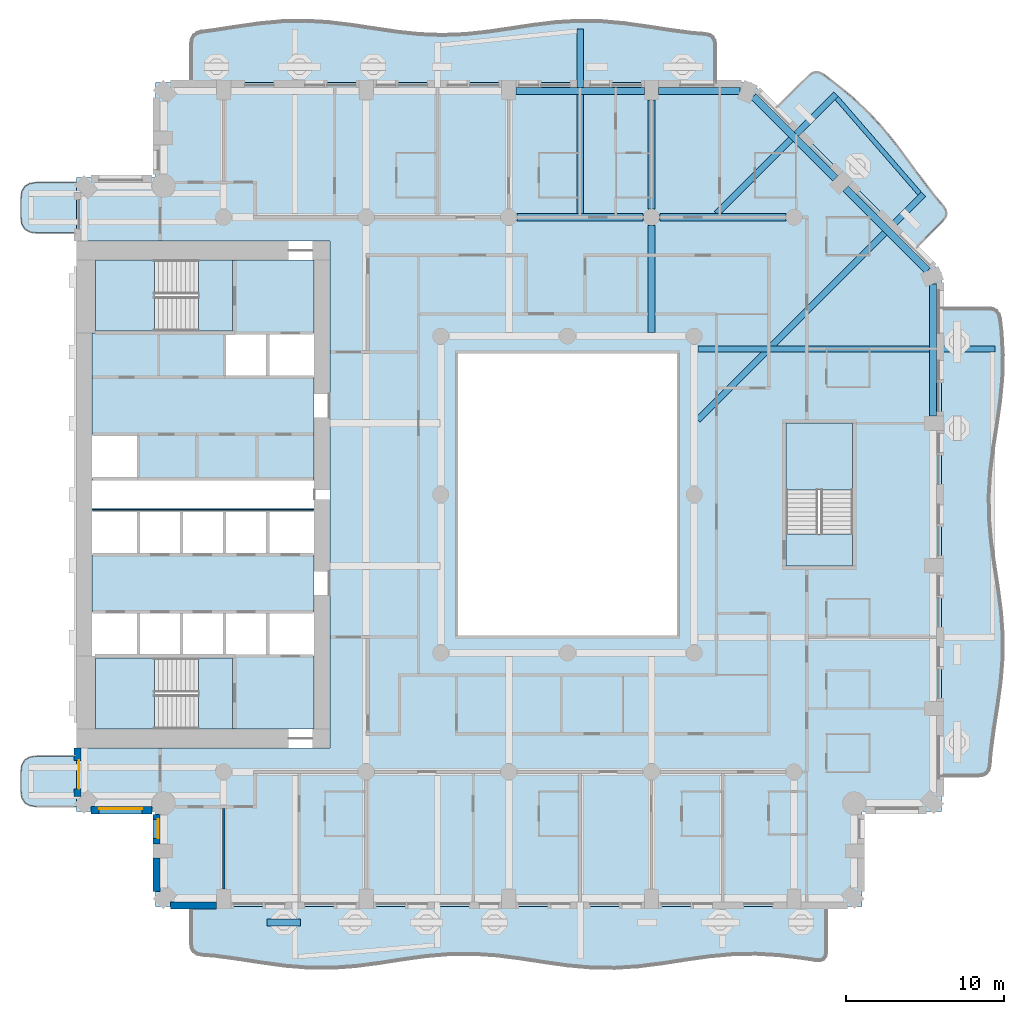
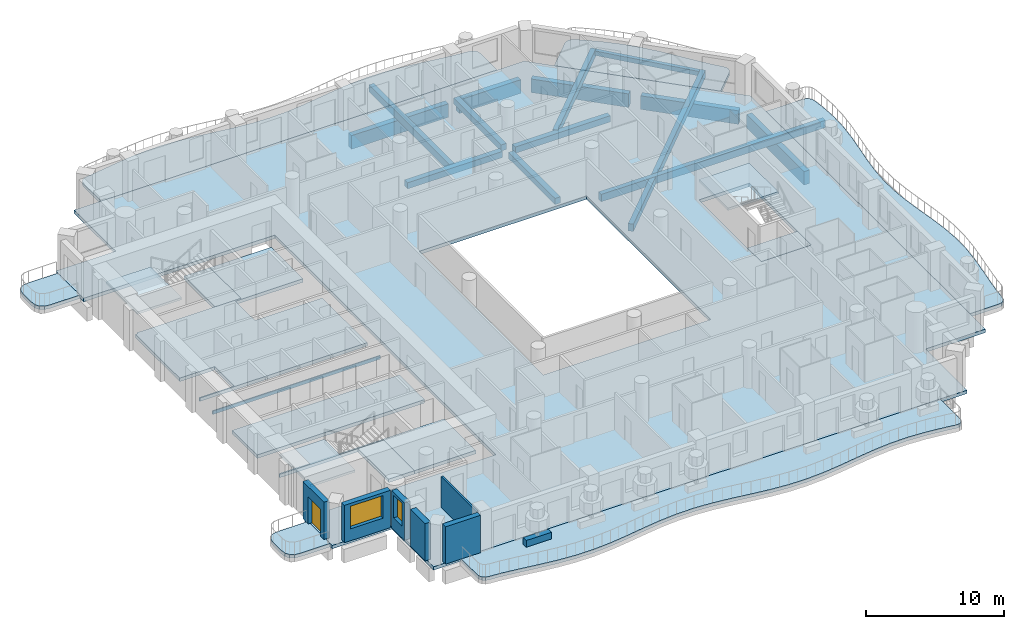
# One storey, part 2 of 20: 17 slabs, 14 beams, 7 walls, 2 windows, 1 door, 3 openings, 3 elements without a shape of their own.
"""IFC4 building model written with IfcOpenShell, lengths in metres."""

from ifc_helpers import new_model, si_unit, direction, frame, frame_2d, origin, origin_2d, place, context, subcontext, project, spatial, polyline, rectangle, outline, extrude, material, layer, layer_set, material_profile, profile_set, type_object, element, fill, aggregate, save


model = new_model("IFC4")

# Units and contexts
model_context = context("Model", 3, precision=1e-05, world=origin(), true_north=direction((0.0, 1.0)))
body_context = subcontext(model_context, "Body", "Model", "MODEL_VIEW")
ifc_project = project(units=[si_unit("LENGTHUNIT", "METRE"), si_unit("AREAUNIT", "SQUARE_METRE"), si_unit("VOLUMEUNIT", "CUBIC_METRE"), si_unit("PLANEANGLEUNIT", "RADIAN"), si_unit("MASSUNIT", "GRAM", prefix="KILO")], contexts=[model_context])

# Site, building, storey
site_placement = place(None, origin())
site = spatial("IfcSite", under=ifc_project, at=site_placement, CompositionType="ELEMENT")
building_placement = place(site_placement, origin())
building = spatial("IfcBuilding", under=site, at=building_placement, Name="Cypress Arch Tower", CompositionType="ELEMENT")
storey_placement = place(building_placement, frame((0.0, 0.0, 131.10009765625)))
storey = spatial("IfcBuildingStorey", under=building, at=storey_placement, Name="L28", CompositionType="ELEMENT", Elevation=131.10009765625)

# Beams
ifc_material_1 = material(Name="Concrete C50/60", Category="concrete")
ifc_material_profile_1 = material_profile(ifc_material_1, rectangle(XDim=0.300048828125, YDim=0.39990234375, at=origin_2d()), Name="RC 300x400")
ifc_profile_set_1 = profile_set([ifc_material_profile_1], Name="Concrete C50/60")
beam_type_1 = type_object("IfcBeamType", Name="Balcony edge beam RC 300x400 Concrete C50/60", PredefinedType="BEAM", material=ifc_profile_set_1)
beam_1_placement = place(storey_placement, frame((23.22216796875, 18.992919921875, -0.5), z_axis=(-0.655597619105, 0.755110430218, 0.0), x_axis=(-0.755110430218, -0.655597619105, 0.0)))
element("IfcBeam", 1, at=beam_1_placement, inside=storey, type_object=beam_type_1, Name="Balcony edge beam L28 A07", PredefinedType="BEAM", context=body_context, shape_type="SweptSolid", body=[
    extrude(rectangle(XDim=0.300048828125, YDim=0.39990234375, at=origin_2d()), origin(), (0.0, 0.0, 1.0), 7.980712890625),
])
ifc_material_2 = material(Name="Concrete C50/60", Category="concrete")
ifc_material_profile_2 = material_profile(ifc_material_2, rectangle(XDim=0.39990234375, YDim=0.64990234375, at=origin_2d()), Name="RC 400x650")
ifc_profile_set_2 = profile_set([ifc_material_profile_2], Name="Concrete C50/60")
beam_type_2 = type_object("IfcBeamType", Name="Cantilever beam RC 400x650 Concrete C50/60", PredefinedType="BEAM", material=ifc_profile_set_2)
beam_2_placement = place(storey_placement, frame((9.22509765625, 9.18798828125, -0.625), z_axis=(1.0, 0.0, 0.0), x_axis=(0.0, 1.0, 0.0)))
element("IfcBeam", 2, at=beam_2_placement, inside=storey, type_object=beam_type_2, Name="Cantilever beam L28 A06 2", PredefinedType="BEAM", context=body_context, shape_type="SweptSolid", body=[
    extrude(rectangle(XDim=0.39990234375, YDim=0.64990234375, at=origin_2d()), origin(), (0.0, 0.0, 1.0), 18.7509765625),
])
beam_3_placement = place(storey_placement, frame((9.22509765625, 4.712890625, -0.625), z_axis=(0.707106781187, 0.707106781187, 0.0), x_axis=(-0.707106781187, 0.707106781187, 0.0)))
element("IfcBeam", 3, at=beam_3_placement, inside=storey, type_object=beam_type_2, Name="Cantilever beam L28 A07 1", PredefinedType="BEAM", context=body_context, shape_type="SweptSolid", body=[
    extrude(rectangle(XDim=0.39990234375, YDim=0.64990234375, at=origin_2d()), origin(), (0.0, 0.0, 1.0), 20.14501953125),
])
beam_4_placement = place(storey_placement, frame((10.412841796875, 17.72509765625, -0.625), z_axis=(0.707106781187, 0.707106781187, 0.0), x_axis=(-0.707106781187, 0.707106781187, 0.0)))
element("IfcBeam", 4, at=beam_4_placement, inside=storey, type_object=beam_type_2, Name="Cantilever beam L28 A07 2", PredefinedType="BEAM", context=body_context, shape_type="SweptSolid", body=[
    extrude(rectangle(XDim=0.39990234375, YDim=0.64990234375, at=origin_2d()), origin(), (0.0, 0.0, 1.0), 10.66552734375),
])
beam_5_placement = place(storey_placement, frame((1.800048828125, 17.72509765625, -0.625), z_axis=(0.0, 1.0, 0.0), x_axis=(-1.0, 0.0, 0.0)))
element("IfcBeam", 5, at=beam_5_placement, inside=storey, type_object=beam_type_2, Name="Cantilever beam L28 A08 1", PredefinedType="BEAM", context=body_context, shape_type="SweptSolid", body=[
    extrude(rectangle(XDim=0.39990234375, YDim=0.64990234375, at=origin_2d()), origin(), (0.0, 0.0, 1.0), 11.66943359375),
])
ifc_material_3 = material(Name="Concrete C50/60", Category="concrete")
ifc_material_profile_3 = material_profile(ifc_material_3, rectangle(XDim=0.449951171875, YDim=0.550048828125, at=origin_2d()), Name="RC 450x550")
ifc_profile_set_3 = profile_set([ifc_material_profile_3], Name="Concrete C50/60")
beam_type_3 = type_object("IfcBeamType", Name="Floor beam RC 450x550 Concrete C50/60", PredefinedType="BEAM", material=ifc_profile_set_3)
for number, where, z_axis, x_axis, name in (
    (6, (-2.175048828125, 17.5, -0.5751953125), (1.0, 0.0, 0.0), (0.0, 1.0, 0.0), "Floor beam L28 FB017"),
    (7, (6.824951171875, 17.5, -0.5751953125), (1.0, 0.0, 0.0), (0.0, 1.0, 0.0), "Floor beam L28 FB018"),
):
    element("IfcBeam", number, at=place(storey_placement, frame(where, z_axis=z_axis, x_axis=x_axis)), inside=storey, type_object=beam_type_3, Name=name, PredefinedType="BEAM", context=body_context, shape_type="SweptSolid", body=[
        extrude(rectangle(XDim=0.449951171875, YDim=0.550048828125, at=origin_2d()), origin(), (0.0, 0.0, 1.0), 7.949951171875),
    ])
beam_6_placement = place(storey_placement, frame((6.300048828125, 10.22509765625, -0.5751953125), z_axis=(0.0, 1.0, 0.0), x_axis=(-1.0, 0.0, 0.0)))
element("IfcBeam", 8, at=beam_6_placement, inside=storey, type_object=beam_type_3, Name="Floor beam L28 FB032", PredefinedType="BEAM", context=body_context, shape_type="SweptSolid", body=[
    extrude(rectangle(XDim=0.449951171875, YDim=0.550048828125, at=origin_2d()), origin(), (0.0, 0.0, 1.0), 6.75),
])
beam_7_placement = place(storey_placement, frame((6.300048828125, 18.02490234375, -0.5751953125), z_axis=(0.0, 1.0, 0.0), x_axis=(-1.0, 0.0, 0.0)))
element("IfcBeam", 9, at=beam_7_placement, inside=storey, type_object=beam_type_3, Name="Floor beam L28 FB033", PredefinedType="BEAM", context=body_context, shape_type="SweptSolid", body=[
    extrude(rectangle(XDim=0.449951171875, YDim=0.550048828125, at=origin_2d()), origin(), (0.0, 0.0, 1.0), 6.875),
])
ifc_material_4 = material(Name="Concrete C50/60", Category="concrete")
ifc_material_profile_4 = material_profile(ifc_material_4, rectangle(XDim=0.449951171875, YDim=1.199951171875, at=origin_2d()), Name="RC 450x1200")
ifc_profile_set_4 = profile_set([ifc_material_profile_4], Name="Concrete C50/60")
beam_type_4 = type_object("IfcBeamType", Name="Spandrel beam RC 450x1200 Concrete C50/60", PredefinedType="SPANDREL", material=ifc_profile_set_4)
beam_8_placement = place(storey_placement, frame((24.074951171875, 4.949951171875, -1.550048828125), z_axis=(0.0, 1.0, 0.0), x_axis=(-1.0, 0.0, 0.0)))
element("IfcBeam", 10, at=beam_8_placement, inside=storey, type_object=beam_type_4, Name="Spandrel beam L28 BA06-3", PredefinedType="SPANDREL", context=body_context, shape_type="SweptSolid", body=[
    extrude(rectangle(XDim=0.449951171875, YDim=1.199951171875, at=origin_2d()), origin(), (0.0, 0.0, 1.0), 8.345458984375),
])
for number, where, z_axis, x_axis, name in (
    (11, (23.73046875, 14.126953125, -1.550048828125), (-0.707106781187, 0.707106781187, 0.0), (-0.707106781187, -0.707106781187, 0.0), "Spandrel beam L28 BA07-0"),
    (12, (17.91064453125, 19.947021484375, -1.550048828125), (-0.707106781187, 0.707106781187, 0.0), (-0.707106781187, -0.707106781187, 0.0), "Spandrel beam L28 BA07-1"),
):
    element("IfcBeam", number, at=place(storey_placement, frame(where, z_axis=z_axis, x_axis=x_axis)), inside=storey, type_object=beam_type_4, Name=name, PredefinedType="SPANDREL", context=body_context, shape_type="SweptSolid", body=[
        extrude(rectangle(XDim=0.449951171875, YDim=1.199951171875, at=origin_2d()), origin(), (0.0, 0.0, 1.0), 7.330810546875),
    ])
beam_9_placement = place(storey_placement, frame((11.8955078125, 25.47509765625, -1.550048828125), z_axis=(-1.0, 0.0, 0.0), x_axis=(0.0, -1.0, 0.0)))
element("IfcBeam", 13, at=beam_9_placement, inside=storey, type_object=beam_type_4, Name="Spandrel beam L28 BA08-0", PredefinedType="SPANDREL", context=body_context, shape_type="SweptSolid", body=[
    extrude(rectangle(XDim=0.449951171875, YDim=1.199951171875, at=origin_2d()), origin(), (0.0, 0.0, 1.0), 5.1455078125),
])
beam_10_placement = place(storey_placement, frame((5.85009765625, 25.47509765625, -1.550048828125), z_axis=(-1.0, 0.0, 0.0), x_axis=(0.0, -1.0, 0.0)))
element("IfcBeam", 14, at=beam_10_placement, inside=storey, type_object=beam_type_4, Name="Spandrel beam L28 BA08-1", PredefinedType="SPANDREL", context=body_context, shape_type="SweptSolid", body=[
    extrude(rectangle(XDim=0.449951171875, YDim=1.199951171875, at=origin_2d()), origin(), (0.0, 0.0, 1.0), 8.10009765625),
])

# Slabs
ifc_material_5 = material(Name="Concrete C40/50", Category="concrete")
ifc_layer_1 = layer(ifc_material_5, 0.300048828125)
ifc_layer_set_1 = layer_set([ifc_layer_1], Name="Balcony slab BS300")
slab_type_1 = type_object("IfcSlabType", Name="Balcony slab BS300", PredefinedType="USERDEFINED", material=ifc_layer_set_1)
slab_1_placement = place(storey_placement, frame((0.0, 0.0, -0.300048828125)))
element("IfcSlab", 15, at=slab_1_placement, inside=storey, type_object=slab_type_1, Name="Balcony slab L28-A00W0", ObjectType="BALCONY SLAB", PredefinedType="USERDEFINED", context=body_context, shape_type="SweptSolid", body=[
    extrude(outline(polyline([(-30.0, 19.699951171875), (-32.5, 19.699951171875), (-32.9375, 19.637451171875), (-33.25, 19.449951171875), (-33.4375, 19.137451171875), (-33.5, 18.699951171875), (-33.5, 17.5), (-33.4375, 17.0625), (-33.25, 16.75), (-32.9375, 16.5625), (-32.5, 16.5), (-30.0, 16.5), (-30.0, 19.699951171875)])), origin(), (0.0, 0.0, 1.0), 0.300048828125),
])
slab_2_placement = place(storey_placement, frame((0.0, 0.0, -0.300048828125)))
element("IfcSlab", 16, at=slab_2_placement, inside=storey, type_object=slab_type_1, Name="Balcony slab L28-A00W1", ObjectType="BALCONY SLAB", PredefinedType="USERDEFINED", context=body_context, shape_type="SweptSolid", body=[
    extrude(outline(polyline([(-30.0, -16.5), (-32.5, -16.5), (-32.9375, -16.5625), (-33.25, -16.75), (-33.4375, -17.0625), (-33.5, -17.5), (-33.5, -18.699951171875), (-33.4375, -19.137451171875), (-33.25, -19.449951171875), (-32.9375, -19.637451171875), (-32.5, -19.699951171875), (-30.0, -19.699951171875), (-30.0, -16.5)])), origin(), (0.0, 0.0, 1.0), 0.300048828125),
])
slab_3_placement = place(storey_placement, frame((0.0, 0.0, -0.300048828125)))
element("IfcSlab", 17, at=slab_3_placement, inside=storey, type_object=slab_type_1, Name="Balcony slab L28-A03", ObjectType="BALCONY SLAB", PredefinedType="USERDEFINED", context=body_context, shape_type="SweptSolid", body=[
    extrude(outline(polyline([(-22.75, -26.0), (-22.75, -28.344970703125), (-22.708251953125, -28.6416015625), (-22.5830078125, -28.860595703125), (-22.3740234375, -29.00244140625), (-22.081787109375, -29.06689453125), (-21.264892578125, -29.130126953125), (-19.779541015625, -29.3291015625), (-18.29443359375, -29.559814453125), (-16.809326171875, -29.761474609375), (-15.323974609375, -29.881591796875), (-13.8388671875, -29.88818359375), (-12.353759765625, -29.779541015625), (-10.868408203125, -29.584228515625), (-9.38330078125, -29.353759765625), (-7.898193359375, -29.148681640625), (-6.412841796875, -29.022705078125), (-4.927734375, -29.009033203125), (-3.442626953125, -29.111083984375), (-1.95751953125, -29.302490234375), (-0.47216796875, -29.532470703125), (1.012939453125, -29.74072265625), (2.498046875, -29.872802734375), (3.9833984375, -29.8935546875), (5.468505859375, -29.7978515625), (6.95361328125, -29.61083984375), (8.43896484375, -29.38134765625), (9.924072265625, -29.169921875), (11.4091796875, -29.0322265625), (12.89453125, -29.004150390625), (14.379638671875, -29.093505859375), (15.86474609375, -29.2763671875), (16.681640625, -29.402099609375), (16.97412109375, -29.40478515625), (17.182861328125, -29.31005859375), (17.308349609375, -29.1181640625), (17.35009765625, -28.82861328125), (17.35009765625, -26.0), (-22.75, -26.0)])), origin(), (0.0, 0.0, 1.0), 0.300048828125),
])
slab_4_placement = place(storey_placement, frame((0.0, 0.0, -0.300048828125)))
element("IfcSlab", 18, at=slab_4_placement, inside=storey, type_object=slab_type_1, Name="Balcony slab L28-A06", ObjectType="BALCONY SLAB", PredefinedType="USERDEFINED", context=body_context, shape_type="SweptSolid", body=[
    extrude(outline(polyline([(24.60009765625, -17.75), (26.94970703125, -17.75), (27.244140625, -17.70849609375), (27.461669921875, -17.583984375), (27.6025390625, -17.376708984375), (27.66650390625, -17.086181640625), (27.72900390625, -16.27490234375), (27.926025390625, -14.800048828125), (28.155029296875, -13.324951171875), (28.35693359375, -11.85009765625), (28.479248046875, -10.375), (28.490234375, -8.89990234375), (28.386962890625, -7.425048828125), (28.196533203125, -5.949951171875), (27.968017578125, -4.47509765625), (27.7607421875, -3.0), (27.62841796875, -1.52490234375), (27.60546875, -0.050048828125), (27.69775390625, 1.425048828125), (27.88134765625, 2.89990234375), (28.108642578125, 4.375), (28.32080078125, 5.85009765625), (28.462646484375, 7.324951171875), (28.49755859375, 8.800048828125), (28.416259765625, 10.27490234375), (28.3193359375, 11.086181640625), (28.242919921875, 11.376708984375), (28.0927734375, 11.583984375), (27.869140625, 11.70849609375), (27.57177734375, 11.75), (24.60009765625, 11.75), (24.60009765625, -17.75)])), origin(), (0.0, 0.0, 1.0), 0.300048828125),
])
slab_5_placement = place(storey_placement, frame((0.0, 0.0, -0.300048828125)))
element("IfcSlab", 19, at=slab_5_placement, inside=storey, type_object=slab_type_1, Name="Balcony slab L28-A07", ObjectType="BALCONY SLAB", PredefinedType="USERDEFINED", context=body_context, shape_type="SweptSolid", body=[
    extrude(outline(polyline([(23.009033203125, 15.591064453125), (24.698974609375, 17.281005859375), (24.866943359375, 17.504150390625), (24.9287109375, 17.731201171875), (24.884033203125, 17.962158203125), (24.7333984375, 18.197265625), (24.23486328125, 18.7763671875), (23.38232421875, 19.883544921875), (22.55419921875, 21.014892578125), (21.7158203125, 22.135986328125), (20.83447265625, 23.21435546875), (19.887939453125, 24.227294921875), (18.868408203125, 25.167236328125), (17.784912109375, 26.04345703125), (17.1669921875, 26.503173828125), (16.91796875, 26.64013671875), (16.676513671875, 26.674072265625), (16.4423828125, 26.605224609375), (16.2158203125, 26.433837890625), (14.19091796875, 24.408935546875), (23.009033203125, 15.591064453125)])), origin(), (0.0, 0.0, 1.0), 0.300048828125),
])
slab_6_placement = place(storey_placement, frame((0.0, 0.0, -0.300048828125)))
element("IfcSlab", 20, at=slab_6_placement, inside=storey, type_object=slab_type_1, Name="Balcony slab L28-A08", ObjectType="BALCONY SLAB", PredefinedType="USERDEFINED", context=body_context, shape_type="SweptSolid", body=[
    extrude(outline(polyline([(10.35009765625, 26.0), (10.35009765625, 28.36572265625), (10.3095703125, 28.653076171875), (10.18798828125, 28.865234375), (9.98583984375, 29.00244140625), (9.702392578125, 29.064697265625), (8.910888671875, 29.125), (7.4716796875, 29.315185546875), (6.03271484375, 29.53857421875), (4.593505859375, 29.739990234375), (3.154296875, 29.869873046875), (1.71533203125, 29.89599609375), (0.276123046875, 29.811767578125), (-1.1630859375, 29.638427734375), (-2.602294921875, 29.418212890625), (-4.041259765625, 29.2060546875), (-5.48046875, 29.05419921875), (-6.919677734375, 29.0), (-8.358642578125, 29.05712890625), (-9.7978515625, 29.211181640625), (-11.237060546875, 29.42431640625), (-12.676025390625, 29.643798828125), (-14.115234375, 29.8154296875), (-15.554443359375, 29.896728515625), (-16.993408203125, 29.86767578125), (-18.4326171875, 29.7353515625), (-19.871826171875, 29.532470703125), (-21.310791015625, 29.309326171875), (-22.102294921875, 29.20556640625), (-22.3857421875, 29.127685546875), (-22.588134765625, 28.978759765625), (-22.70947265625, 28.7587890625), (-22.75, 28.4677734375), (-22.75, 26.0), (10.35009765625, 26.0)])), origin(), (0.0, 0.0, 1.0), 0.300048828125),
])
ifc_material_6 = material(Name="Concrete C40/50", Category="concrete")
ifc_layer_2 = layer(ifc_material_6, 0.300048828125)
ifc_layer_set_2 = layer_set([ifc_layer_2], Name="Core floor CF300")
slab_type_2 = type_object("IfcSlabType", Name="Core floor CF300", PredefinedType="FLOOR", material=ifc_layer_set_2)
slab_7_placement = place(storey_placement, frame((0.0, 0.0, -0.300048828125)))
element("IfcSlab", 21, at=slab_7_placement, inside=storey, type_object=slab_type_2, Name="Core floor", PredefinedType="FLOOR", context=body_context, shape_type="SweptSolid", body=[
    extrude(outline(polyline([(-20.125, -14.800048828125), (-15.0, -14.800048828125), (-15.0, -10.199951171875), (-17.919921875, -10.199951171875), (-20.639892578125, -10.199951171875), (-23.360107421875, -10.199951171875), (-26.080078125, -10.199951171875), (-28.800048828125, -10.199951171875), (-28.800048828125, -10.324951171875), (-22.27490234375, -10.324951171875), (-20.125, -10.324951171875), (-20.125, -14.800048828125)])), origin(), (0.0, 0.0, 1.0), 0.300048828125),
])
slab_8_placement = place(storey_placement, frame((0.0, 0.0, -0.300048828125)))
element("IfcSlab", 22, at=slab_8_placement, inside=storey, type_object=slab_type_2, Name="Core floor", PredefinedType="FLOOR", context=body_context, shape_type="SweptSolid", body=[
    extrude(outline(polyline([(-29.0, -3.800048828125), (-29.0, -7.39990234375), (-26.080078125, -7.39990234375), (-23.360107421875, -7.39990234375), (-20.639892578125, -7.39990234375), (-17.919921875, -7.39990234375), (-15.0, -7.39990234375), (-15.0, -3.800048828125), (-17.919921875, -3.800048828125), (-20.639892578125, -3.800048828125), (-23.360107421875, -3.800048828125), (-26.080078125, -3.800048828125), (-29.0, -3.800048828125)])), origin(), (0.0, 0.0, 1.0), 0.300048828125),
])
slab_9_placement = place(storey_placement, frame((0.0, 0.0, -0.300048828125)))
element("IfcSlab", 23, at=slab_9_placement, inside=storey, type_object=slab_type_2, Name="Core floor", PredefinedType="FLOOR", context=body_context, shape_type="SweptSolid", body=[
    extrude(outline(polyline([(-29.0, 3.800048828125), (-29.0, 10.199951171875), (-28.800048828125, 10.199951171875), (-28.800048828125, 10.324951171875), (-28.60009765625, 10.324951171875), (-22.27490234375, 10.324951171875), (-20.125, 10.324951171875), (-20.125, 14.800048828125), (-15.39990234375, 14.800048828125), (-15.0, 14.800048828125), (-15.0, 10.199951171875), (-15.39990234375, 10.199951171875), (-17.919921875, 10.199951171875), (-20.639892578125, 10.199951171875), (-20.639892578125, 7.39990234375), (-17.919921875, 7.39990234375), (-15.39990234375, 7.39990234375), (-15.0, 7.39990234375), (-15.0, 0.89990234375), (-28.60009765625, 0.89990234375), (-29.0, 0.89990234375), (-29.0, 1.0), (-28.60009765625, 1.0), (-26.080078125, 1.0), (-26.080078125, 3.800048828125), (-28.60009765625, 3.800048828125), (-29.0, 3.800048828125)])), origin(), (0.0, 0.0, 1.0), 0.300048828125),
])
slab_10_placement = place(storey_placement, frame((0.0, 0.0, -0.300048828125)))
element("IfcSlab", 24, at=slab_10_placement, inside=storey, type_object=slab_type_2, Name="Core floor", PredefinedType="FLOOR", context=body_context, shape_type="SweptSolid", body=[
    extrude(outline(polyline([(-22.27490234375, -10.324951171875), (-22.27490234375, -14.800048828125), (-20.125, -14.800048828125), (-20.125, -10.324951171875), (-22.27490234375, -10.324951171875)])), origin(), (0.0, 0.0, 1.0), 0.300048828125),
])
slab_11_placement = place(storey_placement, frame((0.0, 0.0, -0.300048828125)))
element("IfcSlab", 25, at=slab_11_placement, inside=storey, type_object=slab_type_2, Name="Core floor", PredefinedType="FLOOR", context=body_context, shape_type="SweptSolid", body=[
    extrude(outline(polyline([(-20.125, 14.800048828125), (-22.27490234375, 14.800048828125), (-22.27490234375, 10.324951171875), (-20.125, 10.324951171875), (-20.125, 14.800048828125)])), origin(), (0.0, 0.0, 1.0), 0.300048828125),
])
slab_12_placement = place(storey_placement, frame((0.0, 0.0, -0.300048828125)))
element("IfcSlab", 26, at=slab_12_placement, inside=storey, type_object=slab_type_2, Name="Stair floor landing", PredefinedType="FLOOR", context=body_context, shape_type="SweptSolid", body=[
    extrude(outline(polyline([(19.0, -4.5), (19.0, -2.5), (14.800048828125, -2.5), (14.800048828125, -4.5), (19.0, -4.5)])), origin(), (0.0, 0.0, 1.0), 0.300048828125),
])
slab_13_placement = place(storey_placement, frame((0.0, 0.0, -0.300048828125)))
element("IfcSlab", 27, at=slab_13_placement, inside=storey, type_object=slab_type_2, Name="Core floor", PredefinedType="FLOOR", context=body_context, shape_type="SweptSolid", body=[
    extrude(outline(polyline([(-20.639892578125, -1.0), (-23.360107421875, -1.0), (-26.080078125, -1.0), (-28.60009765625, -1.0), (-29.0, -1.0), (-29.0, -0.89990234375), (-28.60009765625, -0.89990234375), (-15.39990234375, -0.89990234375), (-15.0, -0.89990234375), (-15.0, -1.0), (-15.39990234375, -1.0), (-17.919921875, -1.0), (-20.639892578125, -1.0)])), origin(), (0.0, 0.0, 1.0), 0.300048828125),
])
ifc_material_7 = material(Name="Concrete C40/50", Category="concrete")
ifc_layer_3 = layer(ifc_material_7, 0.300048828125)
ifc_layer_set_3 = layer_set([ifc_layer_3], Name="PT flat slab 300 Concrete C40/50")
slab_type_3 = type_object("IfcSlabType", Name="PT flat slab 300 Concrete C40/50", PredefinedType="FLOOR", material=ifc_layer_set_3)
slab_14_placement = place(storey_placement, frame((0.0, 0.0, -0.300048828125)))
element("IfcSlab", 28, at=slab_14_placement, inside=storey, type_object=slab_type_3, Name="Floor slab L28", PredefinedType="FLOOR", context=body_context, shape_type="SweptSolid", body=[
    extrude(outline(polyline([(-30.0, 20.0), (-25.0, 20.0), (-25.0, 26.0), (12.60009765625, 26.0), (24.60009765625, 14.0), (24.60009765625, -20.0), (19.60009765625, -20.0), (19.60009765625, -26.0), (-25.0, -26.0), (-25.0, -20.0), (-30.0, -20.0), (-30.0, -16.0), (-14.0, -16.0), (-14.0, 16.0), (-30.0, 16.0), (-30.0, 20.0)]), holes=[polyline([(-6.0, -9.0), (8.0, -9.0), (8.0, 9.0), (-6.0, 9.0), (-6.0, -9.0)]), polyline([(14.800048828125, -4.5), (19.0, -4.5), (19.0, 4.5), (14.800048828125, 4.5), (14.800048828125, -4.5)])]), origin(), (0.0, 0.0, 1.0), 0.300048828125),
])

# Stair, slab
ifc_material_8 = material(Name="Concrete C40/50", Category="concrete")
stair_type_1 = type_object("IfcStairType", Name="Exit stair ES1636-215", PredefinedType="HALF_TURN_STAIR", material=ifc_material_8)
stair_1_placement = place(storey_placement, origin())
stair_1 = element("IfcStair", 29, at=stair_1_placement, inside=storey, type_object=stair_type_1, Name="L28 Exit stair A", PredefinedType="HALF_TURN_STAIR")
ifc_material_9 = material(Name="Concrete C40/50", Category="concrete")
ifc_layer_4 = layer(ifc_material_9, 0.199951171875)
ifc_layer_set_4 = layer_set([ifc_layer_4], Name="Stair landing SL200")
slab_type_4 = type_object("IfcSlabType", Name="Stair landing SL200", PredefinedType="LANDING", material=ifc_layer_set_4)
slab_15_placement = place(storey_placement, frame((0.0, 0.0, 1.599853515625)))
slab_15 = element("IfcSlab", 30, at=slab_15_placement, type_object=slab_type_4, Name="A landing 1", PredefinedType="LANDING", context=body_context, shape_type="SweptSolid", body=[
    extrude(outline(polyline([(-25.074951171875, -10.324951171875), (-28.800048828125, -10.324951171875), (-28.800048828125, -14.800048828125), (-25.074951171875, -14.800048828125), (-25.074951171875, -10.324951171875)])), origin(), (0.0, 0.0, 1.0), 0.199951171875),
])
aggregate(stair_1, [slab_15])

stair_2_placement = place(storey_placement, origin())
stair_2 = element("IfcStair", 31, at=stair_2_placement, inside=storey, type_object=stair_type_1, Name="L28 Exit stair B", PredefinedType="HALF_TURN_STAIR")
slab_16_placement = place(storey_placement, frame((0.0, 0.0, 1.599853515625)))
slab_16 = element("IfcSlab", 32, at=slab_16_placement, type_object=slab_type_4, Name="B landing 1", PredefinedType="LANDING", context=body_context, shape_type="SweptSolid", body=[
    extrude(outline(polyline([(-25.074951171875, 14.800048828125), (-28.800048828125, 14.800048828125), (-28.800048828125, 10.324951171875), (-25.074951171875, 10.324951171875), (-25.074951171875, 14.800048828125)])), origin(), (0.0, 0.0, 1.0), 0.199951171875),
])
aggregate(stair_2, [slab_16])

ifc_material_10 = material(Name="Concrete C40/50", Category="concrete")
stair_type_2 = type_object("IfcStairType", Name="Exit stair ES1636-200", PredefinedType="HALF_TURN_STAIR", material=ifc_material_10)
stair_3_placement = place(storey_placement, origin())
stair_3 = element("IfcStair", 33, at=stair_3_placement, inside=storey, type_object=stair_type_2, Name="L28 Exit stair C", PredefinedType="HALF_TURN_STAIR")
slab_17_placement = place(storey_placement, frame((0.0, 0.0, 1.599853515625)))
slab_17 = element("IfcSlab", 34, at=slab_17_placement, type_object=slab_type_4, Name="C landing 1", PredefinedType="LANDING", context=body_context, shape_type="SweptSolid", body=[
    extrude(outline(polyline([(19.0, 0.300048828125), (19.0, 4.5), (14.800048828125, 4.5), (14.800048828125, 0.300048828125), (19.0, 0.300048828125)])), origin(), (0.0, 0.0, 1.0), 0.199951171875),
])
aggregate(stair_3, [slab_17])

# Wall
ifc_material_11 = material(Name="Concrete C40/50, waterproofed", Category="concrete")
ifc_layer_5 = layer(ifc_material_11, 0.449951171875)
ifc_layer_set_5 = layer_set([ifc_layer_5], Name="Balcony planter wall PW450")
wall_type_1 = type_object("IfcWallType", Name="Balcony planter wall PW450", PredefinedType="SOLIDWALL", material=ifc_layer_set_5)
wall_1_placement = place(storey_placement, frame((-17.949951171875, -27.0, 0.0), z_axis=(0.0, 0.0, 1.0), x_axis=(1.0, 0.0, 0.0)))
element("IfcWall", 35, at=wall_1_placement, inside=storey, type_object=wall_type_1, Name="Balcony planter wall L28-A03.1", PredefinedType="SOLIDWALL", context=body_context, shape_type="SweptSolid", body=[
    extrude(rectangle(XDim=2.099853515625, YDim=0.449951171875, at=frame_2d((1.0498046875, 0.0))), origin(), (0.0, 0.0, 1.0), 0.599853515625),
])

# Wall, opening, door
ifc_material_12 = material(Name="Brick (red buff blend)", Category="masonry")
ifc_layer_6 = layer(ifc_material_12, 0.449951171875)
ifc_layer_set_6 = layer_set([ifc_layer_6], Name="Brick pier and spandrel wall BW450")
wall_type_2 = type_object("IfcWallType", Name="Brick pier and spandrel wall BW450", PredefinedType="SOLIDWALL", material=ifc_layer_set_6)
wall_2_placement = place(storey_placement, frame((-29.925048828125, -16.0, 0.0), z_axis=(0.0, 0.0, 1.0), x_axis=(0.0, -1.0, 0.0)))
wall_2 = element("IfcWall", 36, at=wall_2_placement, inside=storey, type_object=wall_type_2, Name="Brick wall L28 A00.0.1", PredefinedType="SOLIDWALL", context=body_context, shape_type="SweptSolid", body=[
    extrude(rectangle(XDim=3.063720703125, YDim=0.449951171875, at=frame_2d((1.53173828125, 0.0))), origin(), (0.0, 0.0, 1.0), 3.2998046875),
])
opening_1_placement = place(wall_2_placement, frame((0.78173828125, 0.0, 0.0)))
opening_1 = element("IfcOpeningElement", 37, at=opening_1_placement, cuts=wall_2, Name="Opening D-L28-A00.0.1.9", PredefinedType="OPENING", context=body_context, shape_type="SweptSolid", body=[
    extrude(rectangle(XDim=1.800048828125, YDim=2.39990234375, at=frame_2d((0.89990234375, 1.199951171875))), frame((0.0, 0.23486328125, 0.0), z_axis=(0.0, -1.0, 0.0), x_axis=(1.0, 0.0, 0.0)), (0.0, 0.0, 1.0), 0.469970703125),
])
ifc_material_13 = material(Name="Anodised aluminium, bronze finish, laminated low-emissivity double glazing, large-missile impact rated", Category="aluminium")
door_type = type_object("IfcDoorType", Name="Balcony sliding door 1800x2400", OperationType="SLIDING_TO_LEFT", PredefinedType="DOOR", material=ifc_material_13)
door_placement = place(opening_1_placement, origin())
door = element("IfcDoor", 38, at=door_placement, inside=storey, type_object=door_type, Name="Balcony door L28 A00.0.1.9", OperationType="SLIDING_TO_LEFT", OverallHeight=2.39990234375, OverallWidth=1.800048828125, PredefinedType="DOOR", context=body_context, shape_type="SweptSolid", body=[
    extrude(rectangle(XDim=1.800048828125, YDim=2.39990234375, at=frame_2d((0.89990234375, 1.199951171875))), frame((0.0, 0.1298828125, 0.0), z_axis=(0.0, -1.0, 0.0), x_axis=(1.0, 0.0, 0.0)), (0.0, 0.0, 1.0), 0.050048828125),
])
fill(opening_1, door)

# Wall, opening, window
wall_3_placement = place(storey_placement, frame((-29.063720703125, -19.925048828125, 0.0), z_axis=(0.0, 0.0, 1.0), x_axis=(1.0, 0.0, 0.0)))
wall_3 = element("IfcWall", 39, at=wall_3_placement, inside=storey, type_object=wall_type_2, Name="Brick wall L28 A01.0", PredefinedType="SOLIDWALL", context=body_context, shape_type="SweptSolid", body=[
    extrude(rectangle(XDim=3.856689453125, YDim=0.449951171875, at=frame_2d((1.92822265625, 0.0))), origin(), (0.0, 0.0, 1.0), 3.2998046875),
])
opening_2_placement = place(wall_3_placement, frame((0.513671875, 0.0, 1.050048828125)))
opening_2 = element("IfcOpeningElement", 40, at=opening_2_placement, cuts=wall_3, Name="Opening W270H", PredefinedType="OPENING", context=body_context, shape_type="SweptSolid", body=[
    extrude(rectangle(XDim=2.699951171875, YDim=2.0, at=frame_2d((1.35009765625, 1.0))), frame((0.0, 0.23486328125, 0.0), z_axis=(0.0, -1.0, 0.0), x_axis=(1.0, 0.0, 0.0)), (0.0, 0.0, 1.0), 0.469970703125),
])
ifc_material_14 = material(Name="Anodised aluminium, bronze finish, clear low-emissivity double glazing", Category="aluminium")
window_type_1 = type_object("IfcWindowType", Name="Window Hotel 2700x2000", PartitioningType="SINGLE_PANEL", PredefinedType="WINDOW", material=ifc_material_14)
window_1_placement = place(opening_2_placement, origin())
window_1 = element("IfcWindow", 41, at=window_1_placement, inside=storey, type_object=window_type_1, Name="Window L28 A01.0.1", OverallHeight=2.0, OverallWidth=2.699951171875, PartitioningType="SINGLE_PANEL", PredefinedType="WINDOW", context=body_context, shape_type="SweptSolid", body=[
    extrude(rectangle(XDim=2.699951171875, YDim=2.0, at=frame_2d((1.35009765625, 1.0))), frame((0.0, 0.135009765625, 0.0), z_axis=(0.0, -1.0, 0.0), x_axis=(1.0, 0.0, 0.0)), (0.0, 0.0, 1.0), 0.06005859375),
])
fill(opening_2, window_1)

wall_4_placement = place(storey_placement, frame((-24.925048828125, -20.20703125, 0.0), z_axis=(0.0, 0.0, 1.0), x_axis=(0.0, -1.0, 0.0)))
wall_4 = element("IfcWall", 42, at=wall_4_placement, inside=storey, type_object=wall_type_2, Name="Brick wall L28 A02.0", PredefinedType="SOLIDWALL", context=body_context, shape_type="SweptSolid", body=[
    extrude(rectangle(XDim=1.843017578125, YDim=0.449951171875, at=frame_2d((0.92138671875, 0.0))), origin(), (0.0, 0.0, 1.0), 3.2998046875),
])
opening_3_placement = place(wall_4_placement, frame((0.29296875, 0.0, 1.050048828125)))
opening_3 = element("IfcOpeningElement", 43, at=opening_3_placement, cuts=wall_4, Name="Opening W120H", PredefinedType="OPENING", context=body_context, shape_type="SweptSolid", body=[
    extrude(rectangle(XDim=1.199951171875, YDim=2.0, at=frame_2d((0.60009765625, 1.0))), frame((0.0, 0.23486328125, 0.0), z_axis=(0.0, -1.0, 0.0), x_axis=(1.0, 0.0, 0.0)), (0.0, 0.0, 1.0), 0.469970703125),
])
ifc_material_15 = material(Name="Anodised aluminium, bronze finish, clear low-emissivity double glazing", Category="aluminium")
window_type_2 = type_object("IfcWindowType", Name="Window Hotel 1200x2000", PartitioningType="SINGLE_PANEL", PredefinedType="WINDOW", material=ifc_material_15)
window_2_placement = place(opening_3_placement, origin())
window_2 = element("IfcWindow", 44, at=window_2_placement, inside=storey, type_object=window_type_2, Name="Window L28 A02.0.1", OverallHeight=2.0, OverallWidth=1.199951171875, PartitioningType="SINGLE_PANEL", PredefinedType="WINDOW", context=body_context, shape_type="SweptSolid", body=[
    extrude(rectangle(XDim=1.199951171875, YDim=2.0, at=frame_2d((0.60009765625, 1.0))), frame((0.0, 0.135009765625, 0.0), z_axis=(0.0, -1.0, 0.0), x_axis=(1.0, 0.0, 0.0)), (0.0, 0.0, 1.0), 0.06005859375),
])
fill(opening_3, window_2)

# Walls
wall_5_placement = place(storey_placement, frame((-24.925048828125, -22.949951171875, 0.0), z_axis=(0.0, 0.0, 1.0), x_axis=(0.0, -1.0, 0.0)))
element("IfcWall", 45, at=wall_5_placement, inside=storey, type_object=wall_type_2, Name="Brick wall L28 A02.1", PredefinedType="SOLIDWALL", context=body_context, shape_type="SweptSolid", body=[
    extrude(rectangle(XDim=2.11376953125, YDim=0.449951171875, at=frame_2d((1.056884765625, 0.0))), origin(), (0.0, 0.0, 1.0), 3.2998046875),
])
wall_6_placement = place(storey_placement, frame((-24.063720703125, -25.925048828125, 0.0), z_axis=(0.0, 0.0, 1.0), x_axis=(1.0, 0.0, 0.0)))
element("IfcWall", 46, at=wall_6_placement, inside=storey, type_object=wall_type_2, Name="Brick wall L28 A03.0", PredefinedType="SOLIDWALL", context=body_context, shape_type="SweptSolid", body=[
    extrude(rectangle(XDim=2.913818359375, YDim=0.449951171875, at=frame_2d((1.45703125, 0.0))), origin(), (0.0, 0.0, 1.0), 3.2998046875),
])
ifc_material_16 = material(Name="Blockwork, plastered both sides", Category="masonry")
ifc_layer_7 = layer(ifc_material_16, 0.14990234375)
ifc_layer_set_7 = layer_set([ifc_layer_7], Name="Partition PW150")
wall_type_3 = type_object("IfcWallType", Name="Partition PW150", PredefinedType="PARTITIONING", material=ifc_layer_set_7)
wall_7_placement = place(storey_placement, frame((-20.699951171875, -24.89990234375, 0.0), z_axis=(0.0, 0.0, 1.0), x_axis=(0.0, 1.0, 0.0)))
element("IfcWall", 47, at=wall_7_placement, inside=storey, type_object=wall_type_3, Name="Partition", PredefinedType="PARTITIONING", context=body_context, shape_type="SweptSolid", body=[
    extrude(rectangle(XDim=5.099853515625, YDim=0.14990234375, at=frame_2d((2.5498046875, 0.0))), origin(), (0.0, 0.0, 1.0), 2.75),
])

save(model, "model.ifc")
